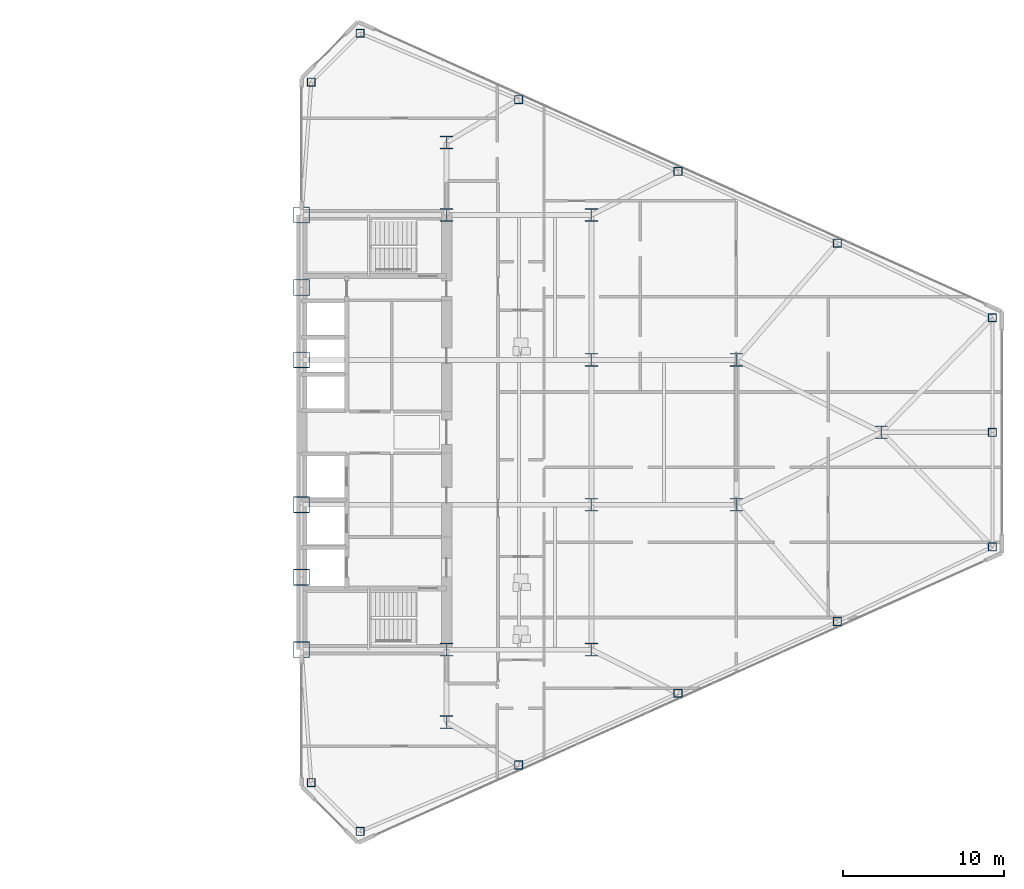
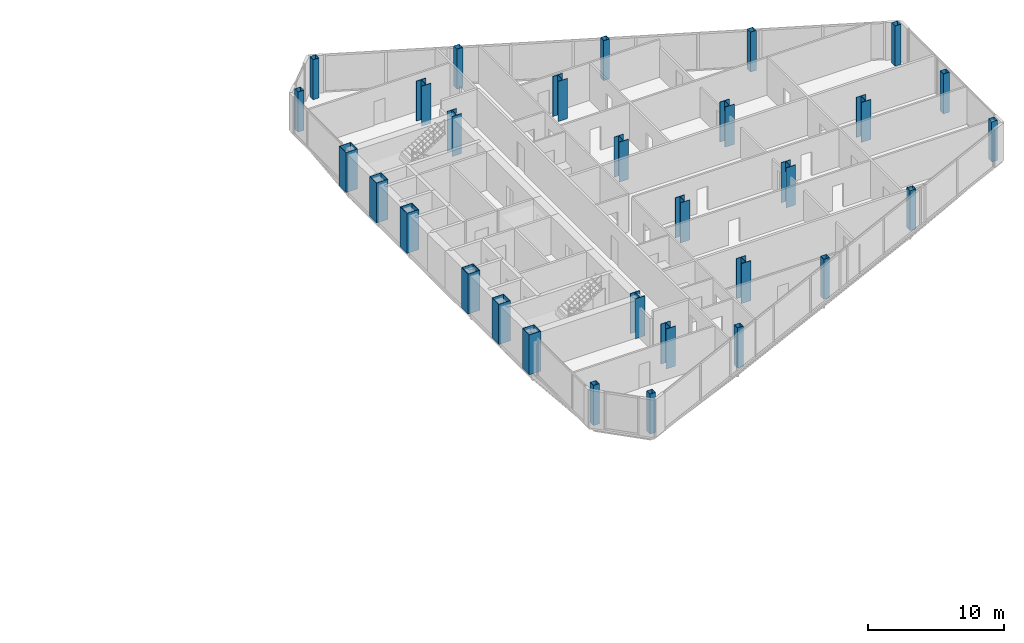
# One storey, part 2 of 27: 30 columns.
"""IFC4 building model written with IfcOpenShell, lengths in metres."""

from ifc_helpers import new_model, si_unit, direction, frame, origin, origin_2d, place, context, subcontext, project, spatial, hollow_rectangle, i_section, extrude, source, transform, mapped, material, material_profile, profile_set, type_object, type_shapes, element, save


model = new_model("IFC4")

# Units and contexts
model_context = context("Model", 3, precision=1e-05, world=origin(), true_north=direction((0.0, 1.0)))
body_context = subcontext(model_context, "Body", "Model", "MODEL_VIEW")
ifc_project = project(units=[si_unit("LENGTHUNIT", "METRE"), si_unit("AREAUNIT", "SQUARE_METRE"), si_unit("VOLUMEUNIT", "CUBIC_METRE"), si_unit("PLANEANGLEUNIT", "RADIAN"), si_unit("MASSUNIT", "GRAM", prefix="KILO")], contexts=[model_context])

# Site, building, storey
site_placement = place(None, origin())
site = spatial("IfcSite", under=ifc_project, at=site_placement, CompositionType="ELEMENT")
building_placement = place(site_placement, origin())
building = spatial("IfcBuilding", under=site, at=building_placement, Name="Seokmaru Belvedere", CompositionType="ELEMENT")
storey_placement = place(building_placement, frame((0.0, 0.0, 65.699951171875)))
storey = spatial("IfcBuildingStorey", under=building, at=storey_placement, Name="L17", CompositionType="ELEMENT", Elevation=65.699951171875)

# Columns
ifc_material_1 = material(Name="Steel SM355 (355 MPa)", Category="steel")
ifc_material_profile_1 = material_profile(ifc_material_1, hollow_rectangle(XDim=0.5, YDim=0.5, WallThickness=0.02001953125, at=origin_2d()), Name="HSS-500x500x20")
ifc_profile_set_1 = profile_set([ifc_material_profile_1], Name="Steel SM355 (355 MPa)")
column_type_1 = type_object("IfcColumnType", Name="Perimeter Facet Column HSS-500", PredefinedType="COLUMN", material=ifc_profile_set_1)
shared_shape_1 = source(origin(), body_context, "Body", "SweptSolid", [
    extrude(hollow_rectangle(XDim=0.5, YDim=0.5, WallThickness=0.02001953125, at=origin_2d()), origin(), (0.0, 0.0, 1.0), 3.60009765625),
])
type_shapes(column_type_1, [shared_shape_1])
for number, where, z_axis, x_axis, name in (
    (1, (31.13134765625, -24.782958984375, 0.0), (0.0, 0.0, 1.0), (1.0, 0.0, 0.0), "L17 Column EF1"),
    (2, (70.39990234375, -7.112060546875, 0.0), (0.0, 0.0, 1.0), (1.0, 0.0, 0.0), "L17 Column EF2"),
    (3, (70.39990234375, 7.112060546875, 0.0), (0.0, 0.0, 1.0), (1.0, 0.0, 0.0), "L17 Column EF3"),
    (4, (31.13134765625, 24.782958984375, 0.0), (0.0, 0.0, 1.0), (1.0, 0.0, 0.0), "L17 Column EF4"),
    (5, (28.10009765625, 21.75146484375, 0.0), (0.0, 0.0, 1.0), (1.0, 0.0, 0.0), "L17 Column EF5"),
    (6, (28.10009765625, -21.75146484375, 0.0), (0.0, 0.0, 1.0), (1.0, 0.0, 0.0), "L17 Column EF6"),
    (7, (40.97265625, -20.661376953125, 0.0), (0.0, 0.0, 1.0), (1.0, 0.0, 0.0), "L17 Column EFLK_S1"),
    (8, (50.875, -16.205322265625, 0.0), (0.0, 0.0, 1.0), (1.0, 0.0, 0.0), "L17 Column EFLK_S2"),
    (9, (60.777587890625, -11.749267578125, 0.0), (0.0, 0.0, 1.0), (1.0, 0.0, 0.0), "L17 Column EFLK_S3"),
    (10, (40.97265625, 20.661376953125, 0.0), (0.0, 0.0, 1.0), (1.0, 0.0, 0.0), "L17 Column EFLK_N1"),
    (11, (50.875, 16.205322265625, 0.0), (0.0, 0.0, 1.0), (1.0, 0.0, 0.0), "L17 Column EFLK_N2"),
    (12, (60.777587890625, 11.749267578125, 0.0), (0.0, 0.0, 1.0), (1.0, 0.0, 0.0), "L17 Column EFLK_N3"),
    (13, (70.39990234375, 0.0, 0.0), (0.0, 0.0, 1.0), (1.0, 0.0, 0.0), "L17 Column EF_APXM"),
):
    element("IfcColumn", number, at=place(storey_placement, frame(where, z_axis=z_axis, x_axis=x_axis)), inside=storey, type_object=column_type_1, Name=name, PredefinedType="COLUMN", context=body_context, shape_type="MappedRepresentation", body=[
        mapped(shared_shape_1, transform((0.0, 0.0, 0.0), scale=1.0)),
    ])
ifc_material_2 = material(Name="Steel HSA650 (650 MPa)", Category="steel")
ifc_material_profile_2 = material_profile(ifc_material_2, hollow_rectangle(XDim=1.0, YDim=1.0, WallThickness=0.0419921875, at=origin_2d()), Name="BOX-1000x1000x42")
ifc_profile_set_2 = profile_set([ifc_material_profile_2], Name="Steel HSA650 (650 MPa)")
column_type_2 = type_object("IfcColumnType", Name="Portal Spine Column BOX-1000", PredefinedType="COLUMN", material=ifc_profile_set_2)
shared_shape_2 = source(origin(), body_context, "Body", "SweptSolid", [
    extrude(hollow_rectangle(XDim=1.0, YDim=1.0, WallThickness=0.0419921875, at=origin_2d()), origin(), (0.0, 0.0, 1.0), 3.60009765625),
])
type_shapes(column_type_2, [shared_shape_2])
for number, where, z_axis, x_axis, name in (
    (14, (27.5, -13.5, 0.0), (0.0, 0.0, 1.0), (1.0, 0.0, 0.0), "L17 Column ES1"),
    (15, (27.5, -9.0, 0.0), (0.0, 0.0, 1.0), (1.0, 0.0, 0.0), "L17 Column ES2"),
    (16, (27.5, -4.5, 0.0), (0.0, 0.0, 1.0), (1.0, 0.0, 0.0), "L17 Column ES3"),
    (17, (27.5, 4.5, 0.0), (0.0, 0.0, 1.0), (1.0, 0.0, 0.0), "L17 Column ES4"),
    (18, (27.5, 9.0, 0.0), (0.0, 0.0, 1.0), (1.0, 0.0, 0.0), "L17 Column ES5"),
    (19, (27.5, 13.5, 0.0), (0.0, 0.0, 1.0), (1.0, 0.0, 0.0), "L17 Column ES6"),
):
    element("IfcColumn", number, at=place(storey_placement, frame(where, z_axis=z_axis, x_axis=x_axis)), inside=storey, type_object=column_type_2, Name=name, PredefinedType="COLUMN", context=body_context, shape_type="MappedRepresentation", body=[
        mapped(shared_shape_2, transform((0.0, 0.0, 0.0), scale=1.0)),
    ])
ifc_material_profile_3 = material_profile(ifc_material_1, i_section(OverallWidth=0.800048828125, OverallDepth=0.800048828125, WebThickness=0.031982421875, FlangeThickness=0.050048828125, at=origin_2d()), Name="H-800x800x32x50")
ifc_profile_set_3 = profile_set([ifc_material_profile_3], Name="Steel SM355 (355 MPa)")
column_type_3 = type_object("IfcColumnType", Name="Lower-Mid Interior Column H-800", PredefinedType="COLUMN", material=ifc_profile_set_3)
shared_shape_3 = source(origin(), body_context, "Body", "SweptSolid", [
    extrude(i_section(OverallWidth=0.800048828125, OverallDepth=0.800048828125, WebThickness=0.031982421875, FlangeThickness=0.050048828125, at=origin_2d()), origin(), (0.0, 0.0, 1.0), 3.60009765625),
])
type_shapes(column_type_3, [shared_shape_3])
for number, where, z_axis, x_axis, name in (
    (20, (36.5, -18.0, 0.0), (0.0, 0.0, 1.0), (1.0, 0.0, 0.0), "L17 Column EC1"),
    (21, (36.5, -13.5, 0.0), (0.0, 0.0, 1.0), (1.0, 0.0, 0.0), "L17 Column EC2"),
    (22, (36.5, 13.5, 0.0), (0.0, 0.0, 1.0), (1.0, 0.0, 0.0), "L17 Column EC3"),
    (23, (36.5, 18.0, 0.0), (0.0, 0.0, 1.0), (1.0, 0.0, 0.0), "L17 Column EC4"),
    (24, (45.5, -13.5, 0.0), (0.0, 0.0, 1.0), (1.0, 0.0, 0.0), "L17 Column EG5_1"),
    (25, (45.5, -4.5, 0.0), (0.0, 0.0, 1.0), (1.0, 0.0, 0.0), "L17 Column EG5_2"),
    (26, (45.5, 4.5, 0.0), (0.0, 0.0, 1.0), (1.0, 0.0, 0.0), "L17 Column EG5_3"),
    (27, (45.5, 13.5, 0.0), (0.0, 0.0, 1.0), (1.0, 0.0, 0.0), "L17 Column EG5_4"),
    (28, (54.5, -4.5, 0.0), (0.0, 0.0, 1.0), (1.0, 0.0, 0.0), "L17 Column EG4P_1"),
    (29, (54.5, 4.5, 0.0), (0.0, 0.0, 1.0), (1.0, 0.0, 0.0), "L17 Column EG4P_2"),
    (30, (63.5, 0.0, 0.0), (0.0, 0.0, 1.0), (1.0, 0.0, 0.0), "L17 Column EG3P_1"),
):
    element("IfcColumn", number, at=place(storey_placement, frame(where, z_axis=z_axis, x_axis=x_axis)), inside=storey, type_object=column_type_3, Name=name, PredefinedType="COLUMN", context=body_context, shape_type="MappedRepresentation", body=[
        mapped(shared_shape_3, transform((0.0, 0.0, 0.0), scale=1.0)),
    ])

save(model, "model.ifc")
